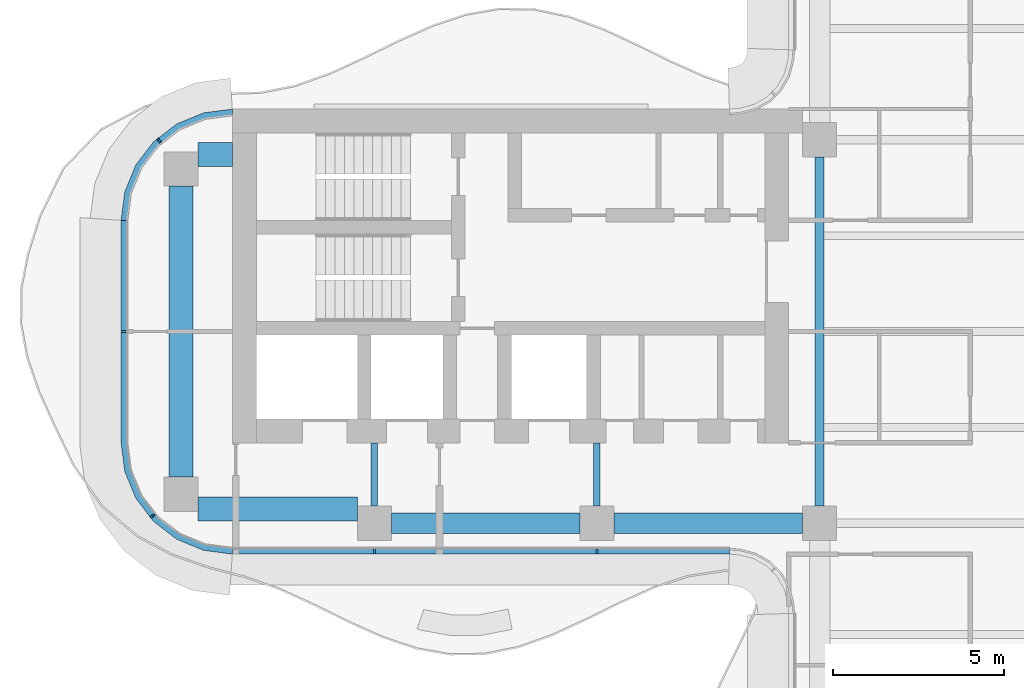
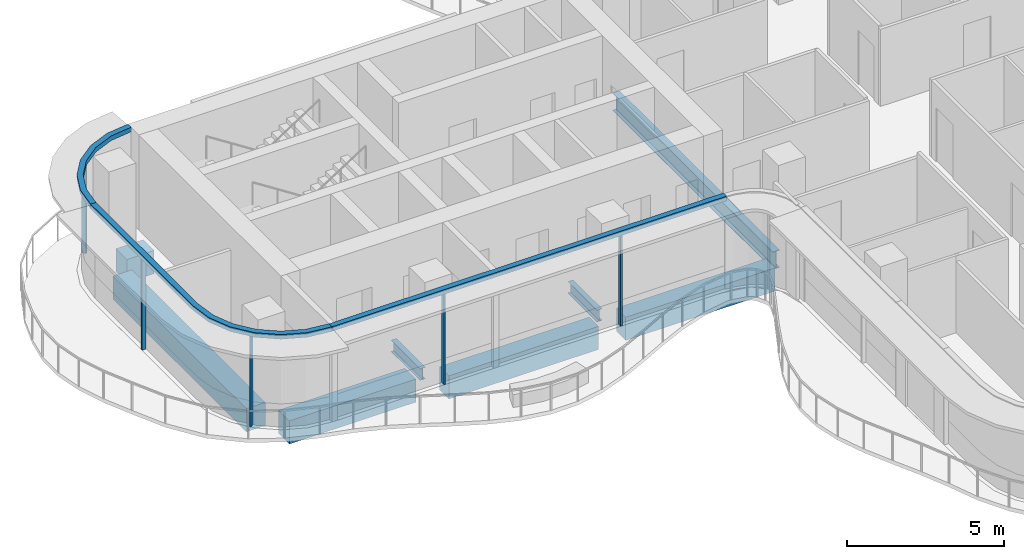
# One storey, part 3 of 16: 8 beams, 8 members, 3 elements without a shape of their own.
"""IFC4 building model written with IfcOpenShell, lengths in metres."""

from ifc_helpers import new_model, si_unit, direction, frame, origin, origin_2d, place, context, subcontext, project, spatial, polyline, rectangle, i_section, outline, extrude, source, transform, mapped, material, layer, layer_set, material_profile, profile_set, type_object, element, aggregate, save


model = new_model("IFC4")

# Units and contexts
model_context = context("Model", 3, precision=1e-05, world=origin(), true_north=direction((0.0, 1.0)))
body_context = subcontext(model_context, "Body", "Model", "MODEL_VIEW")
ifc_project = project(units=[si_unit("LENGTHUNIT", "METRE"), si_unit("AREAUNIT", "SQUARE_METRE"), si_unit("VOLUMEUNIT", "CUBIC_METRE"), si_unit("PLANEANGLEUNIT", "RADIAN"), si_unit("MASSUNIT", "GRAM", prefix="KILO")], contexts=[model_context])

# Site, building, storey
site_placement = place(None, origin())
site = spatial("IfcSite", under=ifc_project, at=site_placement, CompositionType="ELEMENT")
building_placement = place(site_placement, origin())
building = spatial("IfcBuilding", under=site, at=building_placement, Name="Trellis Farm Tower", CompositionType="ELEMENT")
storey_placement = place(building_placement, frame((0.0, 0.0, 310.60009765625)))
storey = spatial("IfcBuildingStorey", under=building, at=storey_placement, Name="L70", CompositionType="ELEMENT", Elevation=310.60009765625)

# Beams
ifc_material_1 = material(Name="Steel S355", Category="steel")
ifc_material_profile_1 = material_profile(ifc_material_1, i_section(OverallWidth=0.253662109375, OverallDepth=0.68359375, WebThickness=0.012451171875, FlangeThickness=0.021728515625, FilletRadius=0.01513671875, at=origin_2d()), Name="UB 686x254x140")
ifc_profile_set_1 = profile_set([ifc_material_profile_1], Name="Steel S355")
beam_type_1 = type_object("IfcBeamType", Name="UB 686x254x140", PredefinedType="BEAM", material=ifc_profile_set_1)
shared_shape_1 = source(origin(), body_context, "Body", "SweptSolid", [
    extrude(i_section(OverallWidth=0.253662109375, OverallDepth=0.68359375, WebThickness=0.012451171875, FlangeThickness=0.021728515625, FilletRadius=0.01513671875, at=origin_2d()), origin(), (0.0, 0.0, 1.0), 10.2001953125),
])
beam_1_placement = place(storey_placement, frame((-5.60009765625, -5.10009765625, -0.541748046875), z_axis=(0.0, 1.0, 0.0), x_axis=(-1.0, 0.0, 0.0)))
element("IfcBeam", 1, at=beam_1_placement, inside=storey, type_object=beam_type_1, Name="Girder", PredefinedType="BEAM", context=body_context, shape_type="MappedRepresentation", body=[
    mapped(shared_shape_1, transform((0.0, 0.0, 0.0))),
])
ifc_material_profile_2 = material_profile(ifc_material_1, i_section(OverallWidth=0.1904296875, OverallDepth=0.45703125, WebThickness=0.009033203125, FlangeThickness=0.014404296875, FilletRadius=0.01025390625, at=origin_2d()), Name="UB 457x191x74")
ifc_profile_set_2 = profile_set([ifc_material_profile_2], Name="Steel S355")
beam_type_2 = type_object("IfcBeamType", Name="UB 457x191x74", PredefinedType="BEAM", material=ifc_profile_set_2)
shared_shape_2 = source(origin(), body_context, "Body", "SweptSolid", [
    extrude(i_section(OverallWidth=0.1904296875, OverallDepth=0.45703125, WebThickness=0.009033203125, FlangeThickness=0.014404296875, FilletRadius=0.01025390625, at=origin_2d()), origin(), (0.0, 0.0, 1.0), 1.85009765625),
])
for number, where, z_axis, x_axis, name in (
    (2, (-18.60009765625, -5.10009765625, -0.4287109375), (0.0, 1.0, 0.0), (-1.0, 0.0, 0.0), "Girder"),
    (3, (-12.10009765625, -5.10009765625, -0.4287109375), (0.0, 1.0, 0.0), (-1.0, 0.0, 0.0), "Girder"),
):
    element("IfcBeam", number, at=place(storey_placement, frame(where, z_axis=z_axis, x_axis=x_axis)), inside=storey, type_object=beam_type_2, Name=name, PredefinedType="BEAM", context=body_context, shape_type="MappedRepresentation", body=[
        mapped(shared_shape_2, transform((0.0, 0.0, 0.0))),
    ])
ifc_material_2 = material(Name="Concrete C60/75", Category="concrete")
ifc_material_profile_3 = material_profile(ifc_material_2, rectangle(XDim=0.60009765625, YDim=0.89990234375, at=origin_2d()), Name="RC spandrel beam 600x900 C60/75")
ifc_profile_set_3 = profile_set([ifc_material_profile_3], Name="Concrete C60/75")
beam_type_3 = type_object("IfcBeamType", Name="RC spandrel beam 600x900 C60/75", PredefinedType="SPANDREL", material=ifc_profile_set_3)
shared_shape_3 = source(origin(), body_context, "Body", "SweptSolid", [
    extrude(rectangle(XDim=0.60009765625, YDim=0.89990234375, at=origin_2d()), origin(), (0.0, 0.0, 1.0), 5.5),
])
for number, where, z_axis, x_axis, name in (
    (4, (-18.10009765625, -5.60009765625, -0.650146484375), (1.0, 0.0, 0.0), (0.0, 1.0, 0.0), "Girder"),
    (5, (-11.60009765625, -5.60009765625, -0.650146484375), (1.0, 0.0, 0.0), (0.0, 1.0, 0.0), "Girder"),
):
    element("IfcBeam", number, at=place(storey_placement, frame(where, z_axis=z_axis, x_axis=x_axis)), inside=storey, type_object=beam_type_3, Name=name, PredefinedType="SPANDREL", context=body_context, shape_type="MappedRepresentation", body=[
        mapped(shared_shape_3, transform((0.0, 0.0, 0.0))),
    ])
ifc_material_profile_4 = material_profile(ifc_material_2, rectangle(XDim=0.699951171875, YDim=0.89990234375, at=origin_2d()), Name="RC spandrel beam 700x900 C60/75")
ifc_profile_set_4 = profile_set([ifc_material_profile_4], Name="Concrete C60/75")
beam_type_4 = type_object("IfcBeamType", Name="RC spandrel beam 700x900 C60/75", PredefinedType="SPANDREL", material=ifc_profile_set_4)
shared_shape_4 = source(origin(), body_context, "Body", "SweptSolid", [
    extrude(rectangle(XDim=0.699951171875, YDim=0.89990234375, at=origin_2d()), origin(), (0.0, 0.0, 1.0), 1.0),
])
beam_2_placement = place(storey_placement, frame((-23.75, 5.175048828125, -0.650146484375), z_axis=(1.0, 0.0, 0.0), x_axis=(0.0, 1.0, 0.0)))
element("IfcBeam", 6, at=beam_2_placement, inside=storey, type_object=beam_type_4, Name="Girder", PredefinedType="SPANDREL", context=body_context, shape_type="MappedRepresentation", body=[
    mapped(shared_shape_4, transform((0.0, 0.0, 0.0))),
])
shared_shape_5 = source(origin(), body_context, "Body", "SweptSolid", [
    extrude(rectangle(XDim=0.699951171875, YDim=0.89990234375, at=origin_2d()), origin(), (0.0, 0.0, 1.0), 4.64990234375),
])
beam_3_placement = place(storey_placement, frame((-23.75, -5.175048828125, -0.650146484375), z_axis=(1.0, 0.0, 0.0), x_axis=(0.0, 1.0, 0.0)))
element("IfcBeam", 7, at=beam_3_placement, inside=storey, type_object=beam_type_4, Name="Girder", PredefinedType="SPANDREL", context=body_context, shape_type="MappedRepresentation", body=[
    mapped(shared_shape_5, transform((0.0, 0.0, 0.0))),
])
shared_shape_6 = source(origin(), body_context, "Body", "SweptSolid", [
    extrude(rectangle(XDim=0.699951171875, YDim=0.89990234375, at=origin_2d()), origin(), (0.0, 0.0, 1.0), 8.5),
])
beam_4_placement = place(storey_placement, frame((-24.25, -4.25, -0.650146484375), z_axis=(0.0, 1.0, 0.0), x_axis=(-1.0, 0.0, 0.0)))
element("IfcBeam", 8, at=beam_4_placement, inside=storey, type_object=beam_type_4, Name="Girder", PredefinedType="SPANDREL", context=body_context, shape_type="MappedRepresentation", body=[
    mapped(shared_shape_6, transform((0.0, 0.0, 0.0))),
])

# Curtain wall, members
ifc_material_3 = material(Name="Aluminium and glass curtain wall", Category="aluminium")
ifc_layer_1 = layer(ifc_material_3, 0.18994140625)
ifc_layer_set_1 = layer_set([ifc_layer_1], Name="RIBBON CURTAIN WALL CW1")
curtain_wall_type = type_object("IfcCurtainWallType", Name="RIBBON CURTAIN WALL CW1", PredefinedType="NOTDEFINED", material=ifc_layer_set_1)
placement_1 = place(storey_placement, origin())
curtain_wall_1 = element("IfcCurtainWall", 9, at=placement_1, inside=storey, type_object=curtain_wall_type, Name="CW1 001", PredefinedType="NOTDEFINED")
ifc_material_4 = material(Name="Aluminium extrusion 6063-T6", Category="aluminium")
ifc_material_profile_5 = material_profile(ifc_material_4, rectangle(XDim=0.06005859375, YDim=0.14990234375, at=origin_2d()), Name="MULLION 60x150")
ifc_profile_set_5 = profile_set([ifc_material_profile_5], Name="Aluminium extrusion 6063-T6")
member_type_1 = type_object("IfcMemberType", Name="CW1 MULLION 60x150", PredefinedType="MULLION", material=ifc_profile_set_5)
shared_shape_7 = source(origin(), body_context, "Body", "SweptSolid", [
    extrude(rectangle(XDim=0.06005859375, YDim=0.14990234375, at=origin_2d()), origin(), (0.0, 0.0, 1.0), 3.52001953125),
])
member_1_placement = place(storey_placement, frame((-18.60009765625, -6.425048828125, 0.0), z_axis=(0.0, 0.0, 1.0), x_axis=(1.0, 0.0, 0.0)))
member_1 = element("IfcMember", 10, at=member_1_placement, type_object=member_type_1, Name="MU1 001-01", PredefinedType="MULLION", context=body_context, shape_type="MappedRepresentation", body=[
    mapped(shared_shape_7, transform((0.0, 0.0, 0.0))),
])
member_2_placement = place(storey_placement, frame((-12.10009765625, -6.425048828125, 0.0), z_axis=(0.0, 0.0, 1.0), x_axis=(1.0, 0.0, 0.0)))
member_2 = element("IfcMember", 11, at=member_2_placement, type_object=member_type_1, Name="MU1 001-02", PredefinedType="MULLION", context=body_context, shape_type="MappedRepresentation", body=[
    mapped(shared_shape_7, transform((0.0, 0.0, 0.0))),
])

# Curtain wall, member
curtain_wall_2 = element("IfcCurtainWall", 12, at=placement_1, inside=storey, type_object=curtain_wall_type, Name="CW1 013", PredefinedType="NOTDEFINED")
member_3_placement = place(storey_placement, frame((-24.885498046875, 5.578369140625, 0.0), z_axis=(0.0, 0.0, 1.0), x_axis=(-0.793353340291, -0.608761429009, 0.0)))
member_3 = element("IfcMember", 13, at=member_3_placement, type_object=member_type_1, Name="MU1 013-01", PredefinedType="MULLION", context=body_context, shape_type="MappedRepresentation", body=[
    mapped(shared_shape_7, transform((0.0, 0.0, 0.0))),
])

# Curtain wall, members
curtain_wall_3 = element("IfcCurtainWall", 14, at=placement_1, inside=storey, type_object=curtain_wall_type, Name="CW1 014", PredefinedType="NOTDEFINED")
member_4_placement = place(storey_placement, frame((-25.925048828125, 0.0, 0.0), z_axis=(0.0, 0.0, 1.0), x_axis=(0.0, -1.0, 0.0)))
member_4 = element("IfcMember", 15, at=member_4_placement, type_object=member_type_1, Name="MU1 014-01", PredefinedType="MULLION", context=body_context, shape_type="MappedRepresentation", body=[
    mapped(shared_shape_7, transform((0.0, 0.0, 0.0))),
])
member_5_placement = place(storey_placement, frame((-25.078369140625, -5.385498046875, 0.0), z_axis=(0.0, 0.0, 1.0), x_axis=(0.608761429009, -0.793353340291, 0.0)))
member_5 = element("IfcMember", 16, at=member_5_placement, type_object=member_type_1, Name="MU1 014-02", PredefinedType="MULLION", context=body_context, shape_type="MappedRepresentation", body=[
    mapped(shared_shape_7, transform((0.0, 0.0, 0.0))),
])

# Member
ifc_layer_2 = layer(ifc_material_4, 0.199951171875)
ifc_layer_set_2 = layer_set([ifc_layer_2], Name="Aluminium extrusion 6063-T6")
member_type_2 = type_object("IfcMemberType", Name="CW1 TRANSOM 200x180", PredefinedType="USERDEFINED", material=ifc_layer_set_2)
shared_shape_8 = source(origin(), body_context, "Body", "SweptSolid", [
    extrude(outline(polyline([(-22.75, -6.5), (-8.2314453125, -6.5), (-8.224853515625, -6.300048828125), (-22.73681640625, -6.300048828125), (-22.75, -6.5)])), origin(), (0.0, 0.0, 1.0), 0.179931640625),
])
placement_2 = place(storey_placement, frame((0.0, 0.0, 3.52001953125)))
member_6 = element("IfcMember", 17, at=placement_2, type_object=member_type_2, Name="TR1 001", ObjectType="TRANSOM", PredefinedType="USERDEFINED", context=body_context, shape_type="MappedRepresentation", body=[
    mapped(shared_shape_8, transform((0.0, 0.0, 0.0))),
])

aggregate(curtain_wall_1, [member_1, member_2, member_6])

shared_shape_9 = source(origin(), body_context, "Body", "SweptSolid", [
    extrude(outline(polyline([(-22.75, 6.5), (-23.591064453125, 6.38916015625), (-24.375, 6.064697265625), (-25.048095703125, 5.548095703125), (-25.564697265625, 4.875), (-25.88916015625, 4.091064453125), (-26.0, 3.25), (-25.800048828125, 3.23681640625), (-25.6943359375, 4.0390625), (-25.389892578125, 4.774169921875), (-24.905517578125, 5.405517578125), (-24.274169921875, 5.889892578125), (-23.5390625, 6.1943359375), (-22.73681640625, 6.300048828125), (-22.75, 6.5)])), origin(), (0.0, 0.0, 1.0), 0.179931640625),
])
member_7 = element("IfcMember", 18, at=placement_2, type_object=member_type_2, Name="TR1 013", ObjectType="TRANSOM", PredefinedType="USERDEFINED", context=body_context, shape_type="MappedRepresentation", body=[
    mapped(shared_shape_9, transform((0.0, 0.0, 0.0))),
])

aggregate(curtain_wall_2, [member_3, member_7])

shared_shape_10 = source(origin(), body_context, "Body", "SweptSolid", [
    extrude(outline(polyline([(-26.0, 3.25), (-26.0, -3.25), (-25.88916015625, -4.091064453125), (-25.564697265625, -4.875), (-25.048095703125, -5.548095703125), (-24.375, -6.064697265625), (-23.591064453125, -6.38916015625), (-22.75, -6.5), (-22.73681640625, -6.300048828125), (-23.5390625, -6.1943359375), (-24.274169921875, -5.889892578125), (-24.905517578125, -5.405517578125), (-25.389892578125, -4.774169921875), (-25.6943359375, -4.0390625), (-25.800048828125, -3.23681640625), (-25.800048828125, 3.23681640625), (-26.0, 3.25)])), origin(), (0.0, 0.0, 1.0), 0.179931640625),
])
member_8 = element("IfcMember", 19, at=placement_2, type_object=member_type_2, Name="TR1 014", ObjectType="TRANSOM", PredefinedType="USERDEFINED", context=body_context, shape_type="MappedRepresentation", body=[
    mapped(shared_shape_10, transform((0.0, 0.0, 0.0))),
])

aggregate(curtain_wall_3, [member_4, member_5, member_8])

save(model, "model.ifc")
